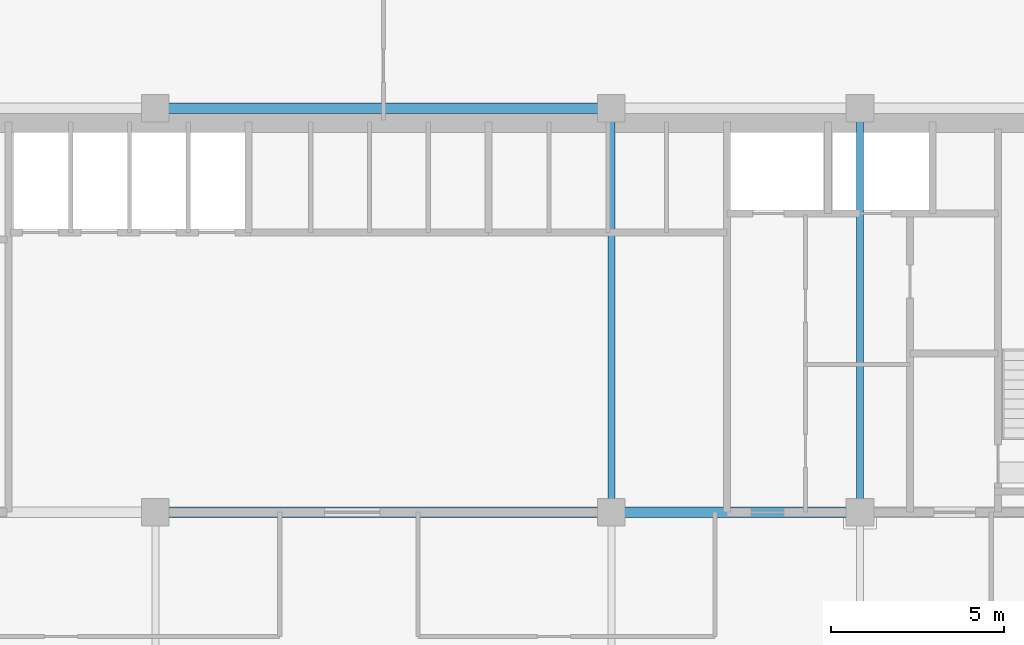
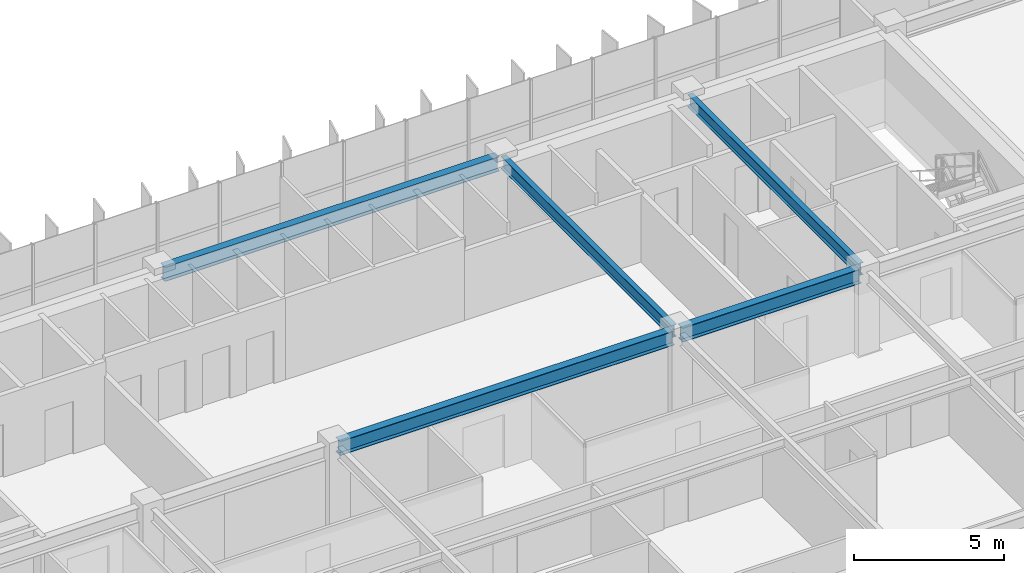
# One storey, part 8 of 21: 5 beams.
"""IFC4 building model written with IfcOpenShell, lengths in metres."""

from ifc_helpers import new_model, si_unit, direction, frame, origin, origin_2d, place, context, subcontext, project, spatial, i_section, extrude, source, transform, mapped, material, material_profile, profile_set, type_object, element, save


model = new_model("IFC4")

# Units and contexts
model_context = context("Model", 3, precision=1e-05, world=origin(), true_north=direction((0.0, 1.0)))
body_context = subcontext(model_context, "Body", "Model", "MODEL_VIEW")
ifc_project = project(units=[si_unit("LENGTHUNIT", "METRE"), si_unit("AREAUNIT", "SQUARE_METRE"), si_unit("VOLUMEUNIT", "CUBIC_METRE"), si_unit("PLANEANGLEUNIT", "RADIAN"), si_unit("MASSUNIT", "GRAM", prefix="KILO")], contexts=[model_context])

# Site, building, storey
site_placement = place(None, origin())
site = spatial("IfcSite", under=ifc_project, at=site_placement, CompositionType="ELEMENT")
building_placement = place(site_placement, origin())
building = spatial("IfcBuilding", under=site, at=building_placement, Name="Trelvane Seafront Commons", CompositionType="ELEMENT")
storey_placement = place(building_placement, frame((0.0, 0.0, 103.300048828125)))
storey = spatial("IfcBuildingStorey", under=building, at=storey_placement, Name="L26", CompositionType="ELEMENT", Elevation=103.300048828125)

# Beams
ifc_material = material(Name="Steel SM355 (S355)", Category="steel")
ifc_material_profile_1 = material_profile(ifc_material, i_section(OverallWidth=0.300048828125, OverallDepth=0.587890625, WebThickness=0.011962890625, FlangeThickness=0.02001953125, at=origin_2d()), Name="H-588x300x12x20")
ifc_profile_set_1 = profile_set([ifc_material_profile_1], Name="Steel SM355 (S355)")
beam_type_1 = type_object("IfcBeamType", Name="STR-BM-H588", PredefinedType="BEAM", material=ifc_profile_set_1)
shared_shape_1 = source(origin(), body_context, "Body", "SweptSolid", [
    extrude(i_section(OverallWidth=0.300048828125, OverallDepth=0.587890625, WebThickness=0.011962890625, FlangeThickness=0.02001953125, at=origin_2d()), origin(), (0.0, 0.0, 1.0), 12.89990234375),
])
for number, where, z_axis, x_axis, name in (
    (1, (30.75, 33.39990234375, 3.0458984375), (1.0, 0.0, 0.0), (0.0, 1.0, 0.0), "L26 Primary Girder G-23"),
    (2, (30.75, 45.10009765625, 3.0458984375), (1.0, 0.0, 0.0), (0.0, 1.0, 0.0), "L26 Primary Girder G-32"),
):
    element("IfcBeam", number, at=place(storey_placement, frame(where, z_axis=z_axis, x_axis=x_axis)), inside=storey, type_object=beam_type_1, Name=name, PredefinedType="BEAM", context=body_context, shape_type="MappedRepresentation", body=[
        mapped(shared_shape_1, transform((0.0, 0.0, 0.0), x_axis=(1.0, 0.0, 0.0), y_axis=(0.0, 1.0, 0.0), z_axis=(0.0, 0.0, 1.0), scale=1.0)),
    ])
shared_shape_2 = source(origin(), body_context, "Body", "SweptSolid", [
    extrude(i_section(OverallWidth=0.300048828125, OverallDepth=0.587890625, WebThickness=0.011962890625, FlangeThickness=0.02001953125, at=origin_2d()), origin(), (0.0, 0.0, 1.0), 6.900146484375),
])
beam_placement = place(storey_placement, frame((43.949951171875, 33.39990234375, 3.0458984375), z_axis=(1.0, 0.0, 0.0), x_axis=(0.0, 1.0, 0.0)))
element("IfcBeam", 3, at=beam_placement, inside=storey, type_object=beam_type_1, Name="L26 Primary Girder G-24", PredefinedType="BEAM", context=body_context, shape_type="MappedRepresentation", body=[
    mapped(shared_shape_2, transform((0.0, 0.0, 0.0), x_axis=(1.0, 0.0, 0.0), y_axis=(0.0, 1.0, 0.0), z_axis=(0.0, 0.0, 1.0), scale=1.0)),
])
ifc_material_profile_2 = material_profile(ifc_material, i_section(OverallWidth=0.199951171875, OverallDepth=0.5, WebThickness=0.010009765625, FlangeThickness=0.01611328125, at=origin_2d()), Name="H-500x200x10x16")
ifc_profile_set_2 = profile_set([ifc_material_profile_2], Name="Steel SM355 (S355)")
beam_type_2 = type_object("IfcBeamType", Name="STR-BM-H500", PredefinedType="BEAM", material=ifc_profile_set_2)
shared_shape_3 = source(origin(), body_context, "Body", "SweptSolid", [
    extrude(i_section(OverallWidth=0.199951171875, OverallDepth=0.5, WebThickness=0.010009765625, FlangeThickness=0.01611328125, at=origin_2d()), origin(), (0.0, 0.0, 1.0), 11.39990234375),
])
for number, where, z_axis, x_axis, name in (
    (4, (43.800048828125, 33.550048828125, 3.08984375), (0.0, 1.0, 0.0), (-1.0, 0.0, 0.0), "L26 Primary Girder G-54"),
    (5, (51.0, 33.550048828125, 3.08984375), (0.0, 1.0, 0.0), (-1.0, 0.0, 0.0), "L26 Primary Girder G-57"),
):
    element("IfcBeam", number, at=place(storey_placement, frame(where, z_axis=z_axis, x_axis=x_axis)), inside=storey, type_object=beam_type_2, Name=name, PredefinedType="BEAM", context=body_context, shape_type="MappedRepresentation", body=[
        mapped(shared_shape_3, transform((0.0, 0.0, 0.0), x_axis=(1.0, 0.0, 0.0), y_axis=(0.0, 1.0, 0.0), z_axis=(0.0, 0.0, 1.0), scale=1.0)),
    ])

save(model, "model.ifc")
